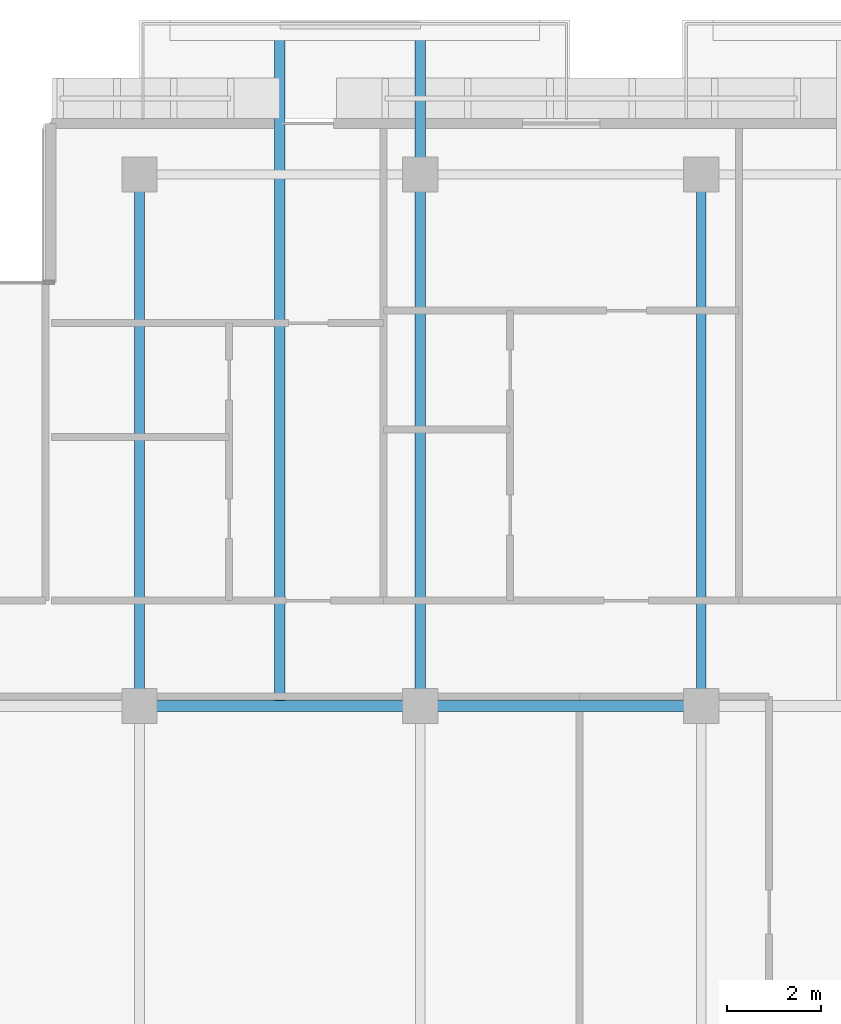
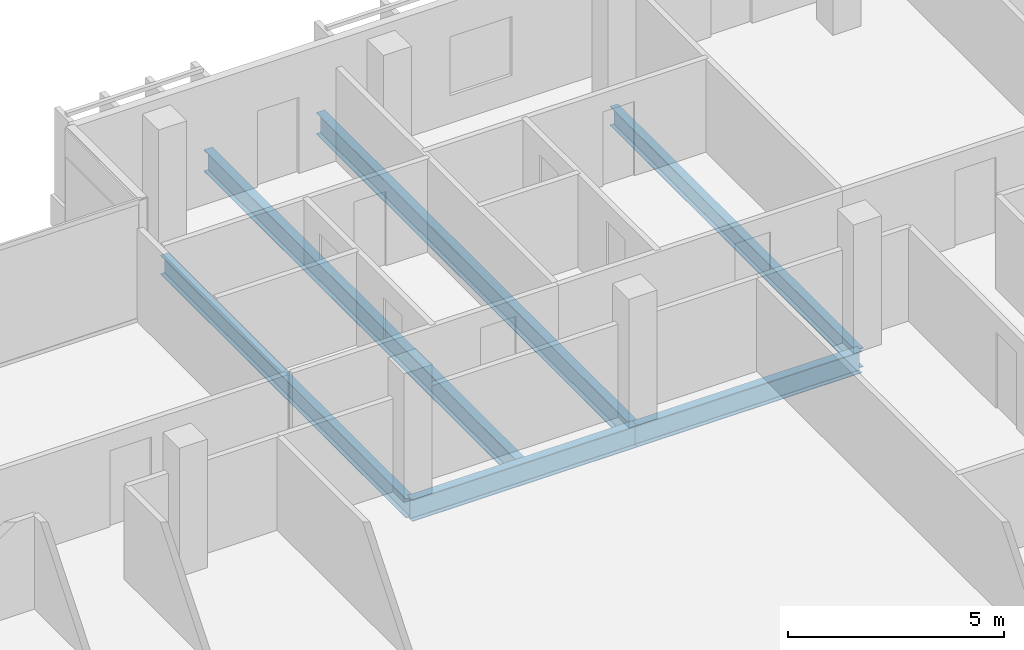
# One storey, part 7 of 23: 6 beams.
"""IFC4 building model written with IfcOpenShell, lengths in metres."""

from ifc_helpers import new_model, si_unit, direction, frame, origin, origin_2d, place, context, subcontext, project, spatial, i_section, extrude, material, material_profile, profile_set, type_object, element, save


model = new_model("IFC4")

# Units and contexts
model_context = context("Model", 3, precision=1e-05, world=origin(), true_north=direction((0.0, 1.0)))
body_context = subcontext(model_context, "Body", "Model", "MODEL_VIEW")
ifc_project = project(units=[si_unit("LENGTHUNIT", "METRE"), si_unit("AREAUNIT", "SQUARE_METRE"), si_unit("VOLUMEUNIT", "CUBIC_METRE"), si_unit("PLANEANGLEUNIT", "RADIAN"), si_unit("MASSUNIT", "GRAM", prefix="KILO")], contexts=[model_context])

# Site, building, storey
site_placement = place(None, origin())
site = spatial("IfcSite", under=ifc_project, at=site_placement, CompositionType="ELEMENT")
building_placement = place(site_placement, origin())
building = spatial("IfcBuilding", under=site, at=building_placement, Name="Tanjung Sevakor Pilgrim Tower", CompositionType="ELEMENT")
storey_placement = place(building_placement, frame((0.0, 0.0, 215.489990234375)))
storey = spatial("IfcBuildingStorey", under=building, at=storey_placement, Name="L60", CompositionType="ELEMENT", Elevation=215.489990234375)

# Beams
ifc_material_1 = material(Name="Steel S355J2", Category="steel")
ifc_material_profile_1 = material_profile(ifc_material_1, i_section(OverallWidth=0.22900390625, OverallDepth=0.6123046875, WebThickness=0.011962890625, FlangeThickness=0.01953125, FilletRadius=0.0126953125, at=origin_2d()))
ifc_profile_set_1 = profile_set([ifc_material_profile_1], Name="Steel S355J2")
beam_type_1 = type_object("IfcBeamType", Name="BM-B-G4-UB_610x229x125", PredefinedType="BEAM", material=ifc_profile_set_1)
for number, where, z_axis, x_axis, name in (
    (1, (54.0, 42.60009765625, -0.526123046875), (1.0, 0.0, 0.0), (0.0, 1.0, 0.0), "L60 Primary Floor Girder MAIN Y426-05"),
    (2, (60.0, 42.60009765625, -0.526123046875), (1.0, 0.0, 0.0), (0.0, 1.0, 0.0), "L60 Primary Floor Girder MAIN Y426-06"),
):
    element("IfcBeam", number, at=place(storey_placement, frame(where, z_axis=z_axis, x_axis=x_axis)), inside=storey, type_object=beam_type_1, Name=name, PredefinedType="BEAM", context=body_context, shape_type="SweptSolid", body=[
        extrude(i_section(OverallWidth=0.22900390625, OverallDepth=0.6123046875, WebThickness=0.011962890625, FlangeThickness=0.01953125, FilletRadius=0.0126953125, at=origin_2d()), origin(), (0.0, 0.0, 1.0), 6.0),
    ])
beam_1_placement = place(storey_placement, frame((57.0, 42.714599609375, -0.526123046875), z_axis=(0.0, 1.0, 0.0), x_axis=(-1.0, 0.0, 0.0)))
element("IfcBeam", 3, at=beam_1_placement, inside=storey, type_object=beam_type_1, Name="L60 Balcony Cantilever Beam MAIN-N2-1", PredefinedType="BEAM", context=body_context, shape_type="SweptSolid", body=[
    extrude(i_section(OverallWidth=0.22900390625, OverallDepth=0.6123046875, WebThickness=0.011962890625, FlangeThickness=0.01953125, FilletRadius=0.0126953125, at=origin_2d()), origin(), (0.0, 0.0, 1.0), 14.415283203125),
])
beam_2_placement = place(storey_placement, frame((60.0, 42.60009765625, -0.526123046875), z_axis=(0.0, 1.0, 0.0), x_axis=(-1.0, 0.0, 0.0)))
element("IfcBeam", 4, at=beam_2_placement, inside=storey, type_object=beam_type_1, Name="L60 Balcony Cantilever Beam MAIN-N2-2", PredefinedType="BEAM", context=body_context, shape_type="SweptSolid", body=[
    extrude(i_section(OverallWidth=0.22900390625, OverallDepth=0.6123046875, WebThickness=0.011962890625, FlangeThickness=0.01953125, FilletRadius=0.0126953125, at=origin_2d()), origin(), (0.0, 0.0, 1.0), 14.52978515625),
])
ifc_material_2 = material(Name="Steel S355J2", Category="steel")
ifc_material_profile_2 = material_profile(ifc_material_2, i_section(OverallWidth=0.2119140625, OverallDepth=0.54443359375, WebThickness=0.0126953125, FlangeThickness=0.021240234375, FilletRadius=0.0126953125, at=origin_2d()))
ifc_profile_set_2 = profile_set([ifc_material_profile_2], Name="Steel S355J2")
beam_type_2 = type_object("IfcBeamType", Name="BM-B-G5-UB_533x210x122", PredefinedType="BEAM", material=ifc_profile_set_2)
for number, where, z_axis, x_axis, name in (
    (5, (54.0, 42.60009765625, -0.4921875), (0.0, 1.0, 0.0), (-1.0, 0.0, 0.0), "L60 MAIN Girder 011"),
    (6, (66.0, 42.60009765625, -0.4921875), (0.0, 1.0, 0.0), (-1.0, 0.0, 0.0), "L60 MAIN Girder 015"),
):
    element("IfcBeam", number, at=place(storey_placement, frame(where, z_axis=z_axis, x_axis=x_axis)), inside=storey, type_object=beam_type_2, Name=name, PredefinedType="BEAM", context=body_context, shape_type="SweptSolid", body=[
        extrude(i_section(OverallWidth=0.2119140625, OverallDepth=0.54443359375, WebThickness=0.0126953125, FlangeThickness=0.021240234375, FilletRadius=0.0126953125, at=origin_2d()), origin(), (0.0, 0.0, 1.0), 11.349853515625),
    ])

save(model, "model.ifc")
